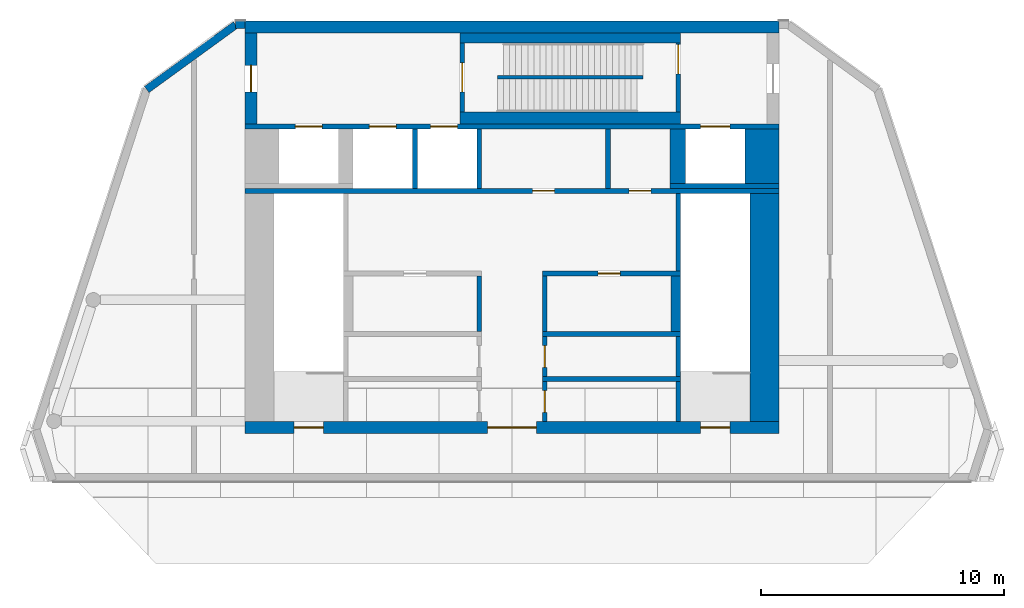
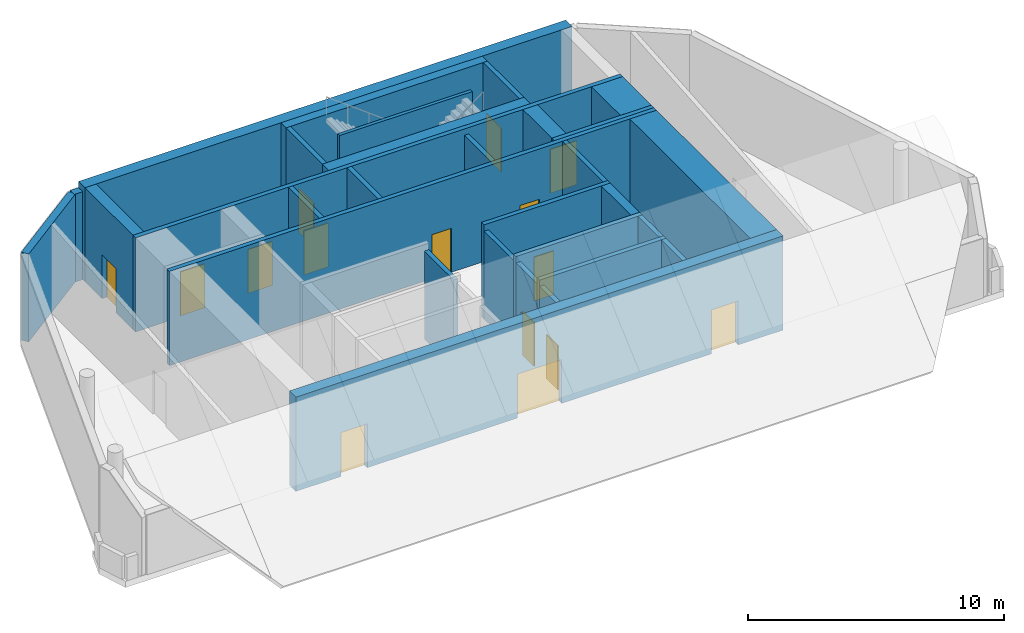
# One storey, part 2 of 5: 30 walls, 15 doors, 15 openings.
"""IFC4 building model written with IfcOpenShell, lengths in metres."""

from ifc_helpers import new_model, si_unit, direction, frame, frame_2d, origin, place, context, subcontext, project, spatial, rectangle, extrude, material, layer, layer_set, type_object, element, fill, save


model = new_model("IFC4")

# Units and contexts
model_context = context("Model", 3, precision=1e-05, world=origin(), true_north=direction((0.0, 1.0)))
body_context = subcontext(model_context, "Body", "Model", "MODEL_VIEW")
ifc_project = project(units=[si_unit("LENGTHUNIT", "METRE"), si_unit("AREAUNIT", "SQUARE_METRE"), si_unit("VOLUMEUNIT", "CUBIC_METRE"), si_unit("PLANEANGLEUNIT", "RADIAN"), si_unit("MASSUNIT", "GRAM", prefix="KILO")], contexts=[model_context])

# Site, building, storey
site_placement = place(None, origin())
site = spatial("IfcSite", under=ifc_project, at=site_placement, CompositionType="ELEMENT")
building_placement = place(site_placement, origin())
building = spatial("IfcBuilding", under=site, at=building_placement, Name="White Candle Pilgrim Tower", CompositionType="ELEMENT")
storey_placement = place(building_placement, frame((0.0, 0.0, 342.199951171875)))
storey = spatial("IfcBuildingStorey", under=building, at=storey_placement, Name="L80", CompositionType="ELEMENT", Elevation=342.199951171875)

# Walls
ifc_material_1 = material(Name="Concrete C40/50", Category="concrete")
ifc_layer_1 = layer(ifc_material_1, 1.39990234375)
ifc_layer_set_1 = layer_set([ifc_layer_1], Name="Core wall 1400 mm Concrete C40/50")
wall_type_1 = type_object("IfcWallType", Name="Core wall 1400 mm Concrete C40/50", PredefinedType="SHEAR", material=ifc_layer_set_1)
wall_1_placement = place(storey_placement, frame((80.300048828125, 81.300048828125, 0.0), z_axis=(0.0, 0.0, 1.0), x_axis=(0.0, 1.0, 0.0)))
element("IfcWall", 1, at=wall_1_placement, inside=storey, type_object=wall_type_1, Name="WL-L80-C33", PredefinedType="SHEAR", context=body_context, shape_type="SweptSolid", body=[
    extrude(rectangle(XDim=2.25, YDim=1.39990234375, at=frame_2d((1.125, 0.0))), origin(), (0.0, 0.0, 1.0), 4.5),
])
ifc_layer_2 = layer(ifc_material_1, 0.199951171875)
ifc_layer_set_2 = layer_set([ifc_layer_2], Name="Core wall 200 mm Concrete C40/50")
wall_type_2 = type_object("IfcWallType", Name="Core wall 200 mm Concrete C40/50", PredefinedType="SHEAR", material=ifc_layer_set_2)
wall_2_placement = place(storey_placement, frame((76.5, 81.199951171875, 0.0), z_axis=(0.0, 0.0, 1.0), x_axis=(1.0, 0.0, 0.0)))
element("IfcWall", 2, at=wall_2_placement, inside=storey, type_object=wall_type_2, Name="WL-L80-C29", PredefinedType="SHEAR", context=body_context, shape_type="SweptSolid", body=[
    extrude(rectangle(XDim=4.5, YDim=0.199951171875, at=frame_2d((2.25, 0.0))), origin(), (0.0, 0.0, 1.0), 4.5),
])

# Wall, openings, doors
wall_3_placement = place(storey_placement, frame((59.0, 83.64990234375, 0.0), z_axis=(0.0, 0.0, 1.0), x_axis=(1.0, 0.0, 0.0)))
wall_3 = element("IfcWall", 3, at=wall_3_placement, inside=storey, type_object=wall_type_2, Name="WL-L80-C34", PredefinedType="SHEAR", context=body_context, shape_type="SweptSolid", body=[
    extrude(rectangle(XDim=22.0, YDim=0.199951171875, at=frame_2d((11.0, 0.0))), origin(), (0.0, 0.0, 1.0), 4.5),
])
opening_1_placement = place(wall_3_placement, frame((5.125, 0.0, 0.0)))
opening_1 = element("IfcOpeningElement", 4, at=opening_1_placement, cuts=wall_3, Name="Opening L80-012", PredefinedType="OPENING", context=body_context, shape_type="SweptSolid", body=[
    extrude(rectangle(XDim=1.10009765625, YDim=2.10009765625, at=frame_2d((0.550048828125, 1.050048828125))), frame((0.0, 0.10986328125, 0.0), z_axis=(0.0, -1.0, 0.0), x_axis=(1.0, 0.0, 0.0)), (0.0, 0.0, 1.0), 0.219970703125),
])
opening_2_placement = place(wall_3_placement, frame((7.64990234375, 0.0, 0.0)))
opening_2 = element("IfcOpeningElement", 5, at=opening_2_placement, cuts=wall_3, Name="Opening L80-013", PredefinedType="OPENING", context=body_context, shape_type="SweptSolid", body=[
    extrude(rectangle(XDim=1.10009765625, YDim=2.10009765625, at=frame_2d((0.550048828125, 1.050048828125))), frame((0.0, 0.10986328125, 0.0), z_axis=(0.0, -1.0, 0.0), x_axis=(1.0, 0.0, 0.0)), (0.0, 0.0, 1.0), 0.219970703125),
])
opening_3_placement = place(wall_3_placement, frame((18.77490234375, 0.0, 0.0)))
opening_3 = element("IfcOpeningElement", 6, at=opening_3_placement, cuts=wall_3, Name="Opening L80-014", PredefinedType="OPENING", context=body_context, shape_type="SweptSolid", body=[
    extrude(rectangle(XDim=1.199951171875, YDim=2.10009765625, at=frame_2d((0.60009765625, 1.050048828125))), frame((0.0, 0.10986328125, 0.0), z_axis=(0.0, -1.0, 0.0), x_axis=(1.0, 0.0, 0.0)), (0.0, 0.0, 1.0), 0.219970703125),
])
opening_4_placement = place(wall_3_placement, frame((2.074951171875, 0.0, 0.0)))
opening_4 = element("IfcOpeningElement", 7, at=opening_4_placement, cuts=wall_3, Name="Opening L80-015", PredefinedType="OPENING", context=body_context, shape_type="SweptSolid", body=[
    extrude(rectangle(XDim=1.10009765625, YDim=2.10009765625, at=frame_2d((0.550048828125, 1.050048828125))), frame((0.0, 0.10986328125, 0.0), z_axis=(0.0, -1.0, 0.0), x_axis=(1.0, 0.0, 0.0)), (0.0, 0.0, 1.0), 0.219970703125),
])
ifc_material_2 = material(Name="Stainless steel", Category="steel")
door_type_1 = type_object("IfcDoorType", Name="Lift landing door 1100 x 2100 EI 60", OperationType="DOUBLE_DOOR_SLIDING", PredefinedType="DOOR", material=ifc_material_2)
door_1_placement = place(opening_1_placement, origin())
door_1 = element("IfcDoor", 8, at=door_1_placement, inside=storey, type_object=door_type_1, Name="Door L80-012", OperationType="DOUBLE_DOOR_SLIDING", OverallHeight=2.10009765625, OverallWidth=1.10009765625, PredefinedType="DOOR", context=body_context, shape_type="SweptSolid", body=[
    extrude(rectangle(XDim=1.10009765625, YDim=2.10009765625, at=frame_2d((0.550048828125, 1.050048828125))), frame((0.0, 0.02490234375, 0.0), z_axis=(0.0, -1.0, 0.0), x_axis=(1.0, 0.0, 0.0)), (0.0, 0.0, 1.0), 0.050048828125),
])
fill(opening_1, door_1)
door_2_placement = place(opening_2_placement, origin())
door_2 = element("IfcDoor", 9, at=door_2_placement, inside=storey, type_object=door_type_1, Name="Door L80-013", OperationType="DOUBLE_DOOR_SLIDING", OverallHeight=2.10009765625, OverallWidth=1.10009765625, PredefinedType="DOOR", context=body_context, shape_type="SweptSolid", body=[
    extrude(rectangle(XDim=1.10009765625, YDim=2.10009765625, at=frame_2d((0.550048828125, 1.050048828125))), frame((0.0, 0.02490234375, 0.0), z_axis=(0.0, -1.0, 0.0), x_axis=(1.0, 0.0, 0.0)), (0.0, 0.0, 1.0), 0.050048828125),
])
fill(opening_2, door_2)
door_3_placement = place(opening_4_placement, origin())
door_3 = element("IfcDoor", 10, at=door_3_placement, inside=storey, type_object=door_type_1, Name="Door L80-015", OperationType="DOUBLE_DOOR_SLIDING", OverallHeight=2.10009765625, OverallWidth=1.10009765625, PredefinedType="DOOR", context=body_context, shape_type="SweptSolid", body=[
    extrude(rectangle(XDim=1.10009765625, YDim=2.10009765625, at=frame_2d((0.550048828125, 1.050048828125))), frame((0.0, 0.02490234375, 0.0), z_axis=(0.0, -1.0, 0.0), x_axis=(1.0, 0.0, 0.0)), (0.0, 0.0, 1.0), 0.050048828125),
])
fill(opening_4, door_3)
door_type_2 = type_object("IfcDoorType", Name="Lift landing door 1200 x 2100 E 60", OperationType="DOUBLE_DOOR_SLIDING", PredefinedType="DOOR", material=ifc_material_2)
door_4_placement = place(opening_3_placement, origin())
door_4 = element("IfcDoor", 11, at=door_4_placement, inside=storey, type_object=door_type_2, Name="Door L80-014", OperationType="DOUBLE_DOOR_SLIDING", OverallHeight=2.10009765625, OverallWidth=1.199951171875, PredefinedType="DOOR", context=body_context, shape_type="SweptSolid", body=[
    extrude(rectangle(XDim=1.199951171875, YDim=2.10009765625, at=frame_2d((0.60009765625, 1.050048828125))), frame((0.0, 0.02490234375, 0.0), z_axis=(0.0, -1.0, 0.0), x_axis=(1.0, 0.0, 0.0)), (0.0, 0.0, 1.0), 0.050048828125),
])
fill(opening_3, door_4)

# Wall, opening, door
ifc_layer_3 = layer(ifc_material_1, 0.5)
ifc_layer_set_3 = layer_set([ifc_layer_3], Name="Core wall 500 mm Concrete C40/50")
wall_type_3 = type_object("IfcWallType", Name="Core wall 500 mm Concrete C40/50", PredefinedType="SHEAR", material=ifc_layer_set_3)
wall_4_placement = place(storey_placement, frame((59.25, 83.75, 0.0), z_axis=(0.0, 0.0, 1.0), x_axis=(0.0, 1.0, 0.0)))
wall_4 = element("IfcWall", 12, at=wall_4_placement, inside=storey, type_object=wall_type_3, Name="WL-L80-C35", PredefinedType="SHEAR", context=body_context, shape_type="SweptSolid", body=[
    extrude(rectangle(XDim=3.75, YDim=0.5, at=frame_2d((1.875, 0.0))), origin(), (0.0, 0.0, 1.0), 4.5),
])
opening_5_placement = place(wall_4_placement, frame((1.324951171875, 0.0, 0.0)))
opening_5 = element("IfcOpeningElement", 13, at=opening_5_placement, cuts=wall_4, Name="Opening L80-010", PredefinedType="OPENING", context=body_context, shape_type="SweptSolid", body=[
    extrude(rectangle(XDim=1.10009765625, YDim=2.10009765625, at=frame_2d((0.550048828125, 1.050048828125))), frame((0.0, 0.260009765625, 0.0), z_axis=(0.0, -1.0, 0.0), x_axis=(1.0, 0.0, 0.0)), (0.0, 0.0, 1.0), 0.52001953125),
])
ifc_material_3 = material(Name="Steel door leaf", Category="steel")
door_type_3 = type_object("IfcDoorType", Name="Fire door 1100 x 2100 EI 60", OperationType="NOTDEFINED", PredefinedType="DOOR", material=ifc_material_3)
door_5_placement = place(opening_5_placement, origin())
door_5 = element("IfcDoor", 14, at=door_5_placement, inside=storey, type_object=door_type_3, Name="Door L80-010", OperationType="SINGLE_SWING_RIGHT", OverallHeight=2.10009765625, OverallWidth=1.10009765625, PredefinedType="DOOR", context=body_context, shape_type="SweptSolid", body=[
    extrude(rectangle(XDim=1.10009765625, YDim=2.10009765625, at=frame_2d((0.550048828125, 1.050048828125))), frame((0.0, 0.02490234375, 0.0), z_axis=(0.0, -1.0, 0.0), x_axis=(1.0, 0.0, 0.0)), (0.0, 0.0, 1.0), 0.050048828125),
])
fill(opening_5, door_5)

# Walls
wall_5_placement = place(storey_placement, frame((59.0, 87.75, 0.0), z_axis=(0.0, 0.0, 1.0), x_axis=(1.0, 0.0, 0.0)))
element("IfcWall", 15, at=wall_5_placement, inside=storey, type_object=wall_type_3, Name="WL-L80-C42", PredefinedType="SHEAR", context=body_context, shape_type="SweptSolid", body=[
    extrude(rectangle(XDim=22.0, YDim=0.5, at=frame_2d((11.0, 0.0))), origin(), (0.0, 0.0, 1.0), 4.5),
])
ifc_material_4 = material(Name="Precast concrete C40/50", Category="concrete")
ifc_layer_4 = layer(ifc_material_4, 0.320068359375)
ifc_layer_set_4 = layer_set([ifc_layer_4], Name="Facade wall EW4 precast concrete C40/50 crown wall with zinc cladding")
wall_type_4 = type_object("IfcWallType", Name="Facade wall EW4 precast concrete C40/50 crown wall with zinc cladding", PredefinedType="SOLIDWALL", material=ifc_layer_set_4)
wall_6_placement = place(storey_placement, frame((59.0, 87.840087890625, 0.0), z_axis=(0.0, 0.0, 1.0), x_axis=(-1.0, 0.0, 0.0)))
element("IfcWall", 16, at=wall_6_placement, inside=storey, type_object=wall_type_4, Name="Crown wall L80 N", PredefinedType="SOLIDWALL", context=body_context, shape_type="SweptSolid", body=[
    extrude(rectangle(XDim=0.385009765625, YDim=0.320068359375, at=frame_2d((0.1923828125, 0.0))), origin(), (0.0, 0.0, 1.0), 4.199951171875),
])
wall_7_placement = place(storey_placement, frame((58.614990234375, 87.840087890625, 0.0), z_axis=(0.0, 0.0, 1.0), x_axis=(-0.809027332235, -0.587771023186, 0.0)))
element("IfcWall", 17, at=wall_7_placement, inside=storey, type_object=wall_type_4, Name="Crown wall L80 NW chamfer", PredefinedType="SOLIDWALL", context=body_context, shape_type="SweptSolid", body=[
    extrude(rectangle(XDim=4.529541015625, YDim=0.320068359375, at=frame_2d((2.2646484375, 0.0))), origin(), (0.0, 0.0, 1.0), 4.199951171875),
])

# Wall, opening, door
ifc_material_5 = material(Name="Gypsum board on steel studs", Category="steel")
ifc_layer_5 = layer(ifc_material_5, 0.199951171875)
ifc_layer_set_5 = layer_set([ifc_layer_5], Name="Lobby wall 200 mm EI 60")
wall_type_5 = type_object("IfcWallType", Name="Lobby wall 200 mm EI 60", PredefinedType="PARTITIONING", material=ifc_layer_set_5)
wall_8_placement = place(storey_placement, frame((71.35009765625, 71.5, 0.0), z_axis=(0.0, 0.0, 1.0), x_axis=(0.0, 1.0, 0.0)))
wall_8 = element("IfcWall", 18, at=wall_8_placement, inside=storey, type_object=wall_type_5, Name="WL-L80-C05", PredefinedType="PARTITIONING", context=body_context, shape_type="SweptSolid", body=[
    extrude(rectangle(XDim=1.64990234375, YDim=0.199951171875, at=frame_2d((0.824951171875, 0.0))), origin(), (0.0, 0.0, 1.0), 4.199951171875),
])
opening_6_placement = place(wall_8_placement, frame((0.375, 0.0, 0.0)))
opening_6 = element("IfcOpeningElement", 19, at=opening_6_placement, cuts=wall_8, Name="Opening L80-008", PredefinedType="OPENING", context=body_context, shape_type="SweptSolid", body=[
    extrude(rectangle(XDim=0.89990234375, YDim=2.10009765625, at=frame_2d((0.449951171875, 1.050048828125))), frame((0.0, 0.10986328125, 0.0), z_axis=(0.0, -1.0, 0.0), x_axis=(1.0, 0.0, 0.0)), (0.0, 0.0, 1.0), 0.219970703125),
])
door_type_4 = type_object("IfcDoorType", Name="Fire door 900 x 2100 EI 30", OperationType="NOTDEFINED", PredefinedType="DOOR", material=ifc_material_3)
door_6_placement = place(opening_6_placement, origin())
door_6 = element("IfcDoor", 20, at=door_6_placement, inside=storey, type_object=door_type_4, Name="Door L80-008", OperationType="SINGLE_SWING_RIGHT", OverallHeight=2.10009765625, OverallWidth=0.89990234375, PredefinedType="DOOR", context=body_context, shape_type="SweptSolid", body=[
    extrude(rectangle(XDim=0.89990234375, YDim=2.10009765625, at=frame_2d((0.449951171875, 1.050048828125))), frame((0.0, 0.02490234375, 0.0), z_axis=(0.0, -1.0, 0.0), x_axis=(1.0, 0.0, 0.0)), (0.0, 0.0, 1.0), 0.050048828125),
])
fill(opening_6, door_6)

wall_9_placement = place(storey_placement, frame((71.35009765625, 73.35009765625, 0.0), z_axis=(0.0, 0.0, 1.0), x_axis=(0.0, 1.0, 0.0)))
wall_9 = element("IfcWall", 21, at=wall_9_placement, inside=storey, type_object=wall_type_5, Name="WL-L80-C12", PredefinedType="PARTITIONING", context=body_context, shape_type="SweptSolid", body=[
    extrude(rectangle(XDim=1.64990234375, YDim=0.199951171875, at=frame_2d((0.824951171875, 0.0))), origin(), (0.0, 0.0, 1.0), 4.199951171875),
])
opening_7_placement = place(wall_9_placement, frame((0.375, 0.0, 0.0)))
opening_7 = element("IfcOpeningElement", 22, at=opening_7_placement, cuts=wall_9, Name="Opening L80-009", PredefinedType="OPENING", context=body_context, shape_type="SweptSolid", body=[
    extrude(rectangle(XDim=0.89990234375, YDim=2.10009765625, at=frame_2d((0.449951171875, 1.050048828125))), frame((0.0, 0.10986328125, 0.0), z_axis=(0.0, -1.0, 0.0), x_axis=(1.0, 0.0, 0.0)), (0.0, 0.0, 1.0), 0.219970703125),
])
door_7_placement = place(opening_7_placement, origin())
door_7 = element("IfcDoor", 23, at=door_7_placement, inside=storey, type_object=door_type_4, Name="Door L80-009", OperationType="SINGLE_SWING_LEFT", OverallHeight=2.10009765625, OverallWidth=0.89990234375, PredefinedType="DOOR", context=body_context, shape_type="SweptSolid", body=[
    extrude(rectangle(XDim=0.89990234375, YDim=2.10009765625, at=frame_2d((0.449951171875, 1.050048828125))), frame((0.0, 0.02490234375, 0.0), z_axis=(0.0, -1.0, 0.0), x_axis=(1.0, 0.0, 0.0)), (0.0, 0.0, 1.0), 0.050048828125),
])
fill(opening_7, door_7)

# Walls
for number, where, z_axis, x_axis, name in (
    (24, (68.64990234375, 75.199951171875, 0.0), (0.0, 0.0, 1.0), (0.0, 1.0, 0.0), "WL-L80-C17"),
    (25, (71.35009765625, 75.199951171875, 0.0), (0.0, 0.0, 1.0), (0.0, 1.0, 0.0), "WL-L80-C18"),
):
    element("IfcWall", number, at=place(storey_placement, frame(where, z_axis=z_axis, x_axis=x_axis)), inside=storey, type_object=wall_type_5, Name=name, PredefinedType="PARTITIONING", context=body_context, shape_type="SweptSolid", body=[
        extrude(rectangle(XDim=2.300048828125, YDim=0.199951171875, at=frame_2d((1.14990234375, 0.0))), origin(), (0.0, 0.0, 1.0), 4.199951171875),
    ])
wall_10_placement = place(storey_placement, frame((73.949951171875, 81.10009765625, 0.0), z_axis=(0.0, 0.0, 1.0), x_axis=(0.0, 1.0, 0.0)))
element("IfcWall", 26, at=wall_10_placement, inside=storey, type_object=wall_type_5, Name="WL-L80-C28", PredefinedType="PARTITIONING", context=body_context, shape_type="SweptSolid", body=[
    extrude(rectangle(XDim=2.449951171875, YDim=0.199951171875, at=frame_2d((1.22509765625, 0.0))), origin(), (0.0, 0.0, 1.0), 4.199951171875),
])
ifc_layer_6 = layer(ifc_material_1, 0.199951171875)
ifc_layer_set_6 = layer_set([ifc_layer_6], Name="Shaft wall 200 mm Concrete C40/50")
wall_type_6 = type_object("IfcWallType", Name="Shaft wall 200 mm Concrete C40/50", PredefinedType="SHEAR", material=ifc_layer_set_6)
for number, where, z_axis, x_axis, name in (
    (27, (66.0, 81.10009765625, 0.0), (0.0, 0.0, 1.0), (0.0, 1.0, 0.0), "WL-L80-C26"),
    (28, (68.64990234375, 81.10009765625, 0.0), (0.0, 0.0, 1.0), (0.0, 1.0, 0.0), "WL-L80-C27"),
):
    element("IfcWall", number, at=place(storey_placement, frame(where, z_axis=z_axis, x_axis=x_axis)), inside=storey, type_object=wall_type_6, Name=name, PredefinedType="SHEAR", context=body_context, shape_type="SweptSolid", body=[
        extrude(rectangle(XDim=2.449951171875, YDim=0.199951171875, at=frame_2d((1.22509765625, 0.0))), origin(), (0.0, 0.0, 1.0), 4.5),
    ])
ifc_layer_7 = layer(ifc_material_1, 0.64990234375)
ifc_layer_set_7 = layer_set([ifc_layer_7], Name="Shaft wall 650 mm Concrete C40/50")
wall_type_7 = type_object("IfcWallType", Name="Shaft wall 650 mm Concrete C40/50", PredefinedType="SHEAR", material=ifc_layer_set_7)
wall_11_placement = place(storey_placement, frame((76.824951171875, 81.300048828125, 0.0), z_axis=(0.0, 0.0, 1.0), x_axis=(0.0, 1.0, 0.0)))
element("IfcWall", 29, at=wall_11_placement, inside=storey, type_object=wall_type_7, Name="WL-L80-C32", PredefinedType="SHEAR", context=body_context, shape_type="SweptSolid", body=[
    extrude(rectangle(XDim=2.25, YDim=0.64990234375, at=frame_2d((1.125, 0.0))), origin(), (0.0, 0.0, 1.0), 4.5),
])
ifc_layer_8 = layer(ifc_material_1, 1.199951171875)
ifc_layer_set_8 = layer_set([ifc_layer_8], Name="Stair shaft wall 1200 mm Concrete C40/50")
wall_type_8 = type_object("IfcWallType", Name="Stair shaft wall 1200 mm Concrete C40/50", PredefinedType="SHEAR", material=ifc_layer_set_8)
wall_12_placement = place(storey_placement, frame((80.39990234375, 71.5, 0.0), z_axis=(0.0, 0.0, 1.0), x_axis=(0.0, 1.0, 0.0)))
element("IfcWall", 30, at=wall_12_placement, inside=storey, type_object=wall_type_8, Name="WL-L80-C07", PredefinedType="SHEAR", context=body_context, shape_type="SweptSolid", body=[
    extrude(rectangle(XDim=9.39990234375, YDim=1.199951171875, at=frame_2d((4.699951171875, 0.0))), origin(), (0.0, 0.0, 1.0), 4.5),
])
ifc_layer_9 = layer(ifc_material_1, 0.14990234375)
ifc_layer_set_9 = layer_set([ifc_layer_9], Name="Stair shaft wall 150 mm Concrete C40/50")
wall_type_9 = type_object("IfcWallType", Name="Stair shaft wall 150 mm Concrete C40/50", PredefinedType="SHEAR", material=ifc_layer_set_9)
wall_13_placement = place(storey_placement, frame((69.39990234375, 85.675048828125, 0.0), z_axis=(0.0, 0.0, 1.0), x_axis=(1.0, 0.0, 0.0)))
element("IfcWall", 31, at=wall_13_placement, inside=storey, type_object=wall_type_9, Name="WL-L80-C40", PredefinedType="SHEAR", context=body_context, shape_type="SweptSolid", body=[
    extrude(rectangle(XDim=6.0, YDim=0.14990234375, at=frame_2d((3.0, 0.0))), origin(), (0.0, 0.0, 1.0), 4.5),
])
ifc_layer_10 = layer(ifc_material_1, 0.199951171875)
ifc_layer_set_10 = layer_set([ifc_layer_10], Name="Stair shaft wall 200 mm Concrete C40/50")
wall_type_10 = type_object("IfcWallType", Name="Stair shaft wall 200 mm Concrete C40/50", PredefinedType="SHEAR", material=ifc_layer_set_10)
wall_14_placement = place(storey_placement, frame((76.85009765625, 71.5, 0.0), z_axis=(0.0, 0.0, 1.0), x_axis=(0.0, 1.0, 0.0)))
element("IfcWall", 32, at=wall_14_placement, inside=storey, type_object=wall_type_10, Name="WL-L80-C06", PredefinedType="SHEAR", context=body_context, shape_type="SweptSolid", body=[
    extrude(rectangle(XDim=1.64990234375, YDim=0.199951171875, at=frame_2d((0.824951171875, 0.0))), origin(), (0.0, 0.0, 1.0), 4.5),
])
wall_15_placement = place(storey_placement, frame((71.25, 73.25, 0.0), z_axis=(0.0, 0.0, 1.0), x_axis=(1.0, 0.0, 0.0)))
element("IfcWall", 33, at=wall_15_placement, inside=storey, type_object=wall_type_10, Name="WL-L80-C09", PredefinedType="SHEAR", context=body_context, shape_type="SweptSolid", body=[
    extrude(rectangle(XDim=5.699951171875, YDim=0.199951171875, at=frame_2d((2.85009765625, 0.0))), origin(), (0.0, 0.0, 1.0), 4.5),
])
wall_16_placement = place(storey_placement, frame((76.85009765625, 73.35009765625, 0.0), z_axis=(0.0, 0.0, 1.0), x_axis=(0.0, 1.0, 0.0)))
element("IfcWall", 34, at=wall_16_placement, inside=storey, type_object=wall_type_10, Name="WL-L80-C13", PredefinedType="SHEAR", context=body_context, shape_type="SweptSolid", body=[
    extrude(rectangle(XDim=1.64990234375, YDim=0.199951171875, at=frame_2d((0.824951171875, 0.0))), origin(), (0.0, 0.0, 1.0), 4.5),
])
wall_17_placement = place(storey_placement, frame((71.25, 75.10009765625, 0.0), z_axis=(0.0, 0.0, 1.0), x_axis=(1.0, 0.0, 0.0)))
element("IfcWall", 35, at=wall_17_placement, inside=storey, type_object=wall_type_10, Name="WL-L80-C15", PredefinedType="SHEAR", context=body_context, shape_type="SweptSolid", body=[
    extrude(rectangle(XDim=5.699951171875, YDim=0.199951171875, at=frame_2d((2.85009765625, 0.0))), origin(), (0.0, 0.0, 1.0), 4.5),
])

# Wall, opening, door
wall_18_placement = place(storey_placement, frame((71.25, 77.60009765625, 0.0), z_axis=(0.0, 0.0, 1.0), x_axis=(1.0, 0.0, 0.0)))
wall_18 = element("IfcWall", 36, at=wall_18_placement, inside=storey, type_object=wall_type_10, Name="WL-L80-C21", PredefinedType="SHEAR", context=body_context, shape_type="SweptSolid", body=[
    extrude(rectangle(XDim=5.699951171875, YDim=0.199951171875, at=frame_2d((2.85009765625, 0.0))), origin(), (0.0, 0.0, 1.0), 4.5),
])
opening_8_placement = place(wall_18_placement, frame((2.300048828125, 0.0, 0.0)))
opening_8 = element("IfcOpeningElement", 37, at=opening_8_placement, cuts=wall_18, Name="Opening L80-017", PredefinedType="OPENING", context=body_context, shape_type="SweptSolid", body=[
    extrude(rectangle(XDim=0.89990234375, YDim=2.10009765625, at=frame_2d((0.449951171875, 1.050048828125))), frame((0.0, 0.10986328125, 0.0), z_axis=(0.0, -1.0, 0.0), x_axis=(1.0, 0.0, 0.0)), (0.0, 0.0, 1.0), 0.219970703125),
])
door_8_placement = place(opening_8_placement, origin())
door_8 = element("IfcDoor", 38, at=door_8_placement, inside=storey, type_object=door_type_4, Name="Door L80-017", OperationType="SINGLE_SWING_LEFT", OverallHeight=2.10009765625, OverallWidth=0.89990234375, PredefinedType="DOOR", context=body_context, shape_type="SweptSolid", body=[
    extrude(rectangle(XDim=0.89990234375, YDim=2.10009765625, at=frame_2d((0.449951171875, 1.050048828125))), frame((0.0, 0.02490234375, 0.0), z_axis=(0.0, -1.0, 0.0), x_axis=(1.0, 0.0, 0.0)), (0.0, 0.0, 1.0), 0.050048828125),
])
fill(opening_8, door_8)

# Wall
wall_19_placement = place(storey_placement, frame((76.85009765625, 77.699951171875, 0.0), z_axis=(0.0, 0.0, 1.0), x_axis=(0.0, 1.0, 0.0)))
element("IfcWall", 39, at=wall_19_placement, inside=storey, type_object=wall_type_10, Name="WL-L80-C23", PredefinedType="SHEAR", context=body_context, shape_type="SweptSolid", body=[
    extrude(rectangle(XDim=3.199951171875, YDim=0.199951171875, at=frame_2d((1.60009765625, 0.0))), origin(), (0.0, 0.0, 1.0), 4.5),
])

# Wall, openings, doors
wall_20_placement = place(storey_placement, frame((59.0, 81.0, 0.0), z_axis=(0.0, 0.0, 1.0), x_axis=(1.0, 0.0, 0.0)))
wall_20 = element("IfcWall", 40, at=wall_20_placement, inside=storey, type_object=wall_type_10, Name="WL-L80-C24", PredefinedType="SHEAR", context=body_context, shape_type="SweptSolid", body=[
    extrude(rectangle(XDim=22.0, YDim=0.199951171875, at=frame_2d((11.0, 0.0))), origin(), (0.0, 0.0, 1.0), 4.5),
])
opening_9_placement = place(wall_20_placement, frame((11.85009765625, 0.0, 0.0)))
opening_9 = element("IfcOpeningElement", 41, at=opening_9_placement, cuts=wall_20, Name="Opening L80-018", PredefinedType="OPENING", context=body_context, shape_type="SweptSolid", body=[
    extrude(rectangle(XDim=0.89990234375, YDim=2.10009765625, at=frame_2d((0.449951171875, 1.050048828125))), frame((0.0, 0.10986328125, 0.0), z_axis=(0.0, -1.0, 0.0), x_axis=(1.0, 0.0, 0.0)), (0.0, 0.0, 1.0), 0.219970703125),
])
opening_10_placement = place(wall_20_placement, frame((15.824951171875, 0.0, 0.0)))
opening_10 = element("IfcOpeningElement", 42, at=opening_10_placement, cuts=wall_20, Name="Opening L80-019", PredefinedType="OPENING", context=body_context, shape_type="SweptSolid", body=[
    extrude(rectangle(XDim=0.89990234375, YDim=2.10009765625, at=frame_2d((0.449951171875, 1.050048828125))), frame((0.0, 0.10986328125, 0.0), z_axis=(0.0, -1.0, 0.0), x_axis=(1.0, 0.0, 0.0)), (0.0, 0.0, 1.0), 0.219970703125),
])
door_9_placement = place(opening_9_placement, origin())
door_9 = element("IfcDoor", 43, at=door_9_placement, inside=storey, type_object=door_type_4, Name="Door L80-018", OperationType="SINGLE_SWING_RIGHT", OverallHeight=2.10009765625, OverallWidth=0.89990234375, PredefinedType="DOOR", context=body_context, shape_type="SweptSolid", body=[
    extrude(rectangle(XDim=0.89990234375, YDim=2.10009765625, at=frame_2d((0.449951171875, 1.050048828125))), frame((0.0, 0.02490234375, 0.0), z_axis=(0.0, -1.0, 0.0), x_axis=(1.0, 0.0, 0.0)), (0.0, 0.0, 1.0), 0.050048828125),
])
fill(opening_9, door_9)
door_10_placement = place(opening_10_placement, origin())
door_10 = element("IfcDoor", 44, at=door_10_placement, inside=storey, type_object=door_type_4, Name="Door L80-019", OperationType="SINGLE_SWING_LEFT", OverallHeight=2.10009765625, OverallWidth=0.89990234375, PredefinedType="DOOR", context=body_context, shape_type="SweptSolid", body=[
    extrude(rectangle(XDim=0.89990234375, YDim=2.10009765625, at=frame_2d((0.449951171875, 1.050048828125))), frame((0.0, 0.02490234375, 0.0), z_axis=(0.0, -1.0, 0.0), x_axis=(1.0, 0.0, 0.0)), (0.0, 0.0, 1.0), 0.050048828125),
])
fill(opening_10, door_10)

# Wall, opening, door
wall_21_placement = place(storey_placement, frame((67.949951171875, 84.25, 0.0), z_axis=(0.0, 0.0, 1.0), x_axis=(0.0, 1.0, 0.0)))
wall_21 = element("IfcWall", 45, at=wall_21_placement, inside=storey, type_object=wall_type_10, Name="WL-L80-C38", PredefinedType="SHEAR", context=body_context, shape_type="SweptSolid", body=[
    extrude(rectangle(XDim=2.85009765625, YDim=0.199951171875, at=frame_2d((1.425048828125, 0.0))), origin(), (0.0, 0.0, 1.0), 4.5),
])
opening_11_placement = place(wall_21_placement, frame((0.824951171875, 0.0, 0.0)))
opening_11 = element("IfcOpeningElement", 46, at=opening_11_placement, cuts=wall_21, Name="Opening L80-003", PredefinedType="OPENING", context=body_context, shape_type="SweptSolid", body=[
    extrude(rectangle(XDim=1.199951171875, YDim=2.10009765625, at=frame_2d((0.60009765625, 1.050048828125))), frame((0.0, 0.10986328125, 0.0), z_axis=(0.0, -1.0, 0.0), x_axis=(1.0, 0.0, 0.0)), (0.0, 0.0, 1.0), 0.219970703125),
])
door_type_5 = type_object("IfcDoorType", Name="Fire door 1200 x 2100 EI 60", OperationType="NOTDEFINED", PredefinedType="DOOR", material=ifc_material_3)
door_11_placement = place(opening_11_placement, frame((1.199951171875, 0.0, 0.0), z_axis=(0.0, 0.0, 1.0), x_axis=(-1.0, 0.0, 0.0)))
door_11 = element("IfcDoor", 47, at=door_11_placement, inside=storey, type_object=door_type_5, Name="Door L80-003", OperationType="SINGLE_SWING_RIGHT", OverallHeight=2.10009765625, OverallWidth=1.199951171875, PredefinedType="DOOR", context=body_context, shape_type="SweptSolid", body=[
    extrude(rectangle(XDim=1.199951171875, YDim=2.10009765625, at=frame_2d((0.60009765625, 1.050048828125))), frame((0.0, 0.02490234375, 0.0), z_axis=(0.0, -1.0, 0.0), x_axis=(1.0, 0.0, 0.0)), (0.0, 0.0, 1.0), 0.050048828125),
])
fill(opening_11, door_11)

wall_22_placement = place(storey_placement, frame((76.85009765625, 84.25, 0.0), z_axis=(0.0, 0.0, 1.0), x_axis=(0.0, 1.0, 0.0)))
wall_22 = element("IfcWall", 48, at=wall_22_placement, inside=storey, type_object=wall_type_10, Name="WL-L80-C39", PredefinedType="SHEAR", context=body_context, shape_type="SweptSolid", body=[
    extrude(rectangle(XDim=2.85009765625, YDim=0.199951171875, at=frame_2d((1.425048828125, 0.0))), origin(), (0.0, 0.0, 1.0), 4.5),
])
opening_12_placement = place(wall_22_placement, frame((1.574951171875, 0.0, 0.0)))
opening_12 = element("IfcOpeningElement", 49, at=opening_12_placement, cuts=wall_22, Name="Opening L80-004", PredefinedType="OPENING", context=body_context, shape_type="SweptSolid", body=[
    extrude(rectangle(XDim=1.199951171875, YDim=2.10009765625, at=frame_2d((0.60009765625, 1.050048828125))), frame((0.0, 0.10986328125, 0.0), z_axis=(0.0, -1.0, 0.0), x_axis=(1.0, 0.0, 0.0)), (0.0, 0.0, 1.0), 0.219970703125),
])
door_12_placement = place(opening_12_placement, origin())
door_12 = element("IfcDoor", 50, at=door_12_placement, inside=storey, type_object=door_type_5, Name="Door L80-004", OperationType="SINGLE_SWING_RIGHT", OverallHeight=2.10009765625, OverallWidth=1.199951171875, PredefinedType="DOOR", context=body_context, shape_type="SweptSolid", body=[
    extrude(rectangle(XDim=1.199951171875, YDim=2.10009765625, at=frame_2d((0.60009765625, 1.050048828125))), frame((0.0, 0.02490234375, 0.0), z_axis=(0.0, -1.0, 0.0), x_axis=(1.0, 0.0, 0.0)), (0.0, 0.0, 1.0), 0.050048828125),
])
fill(opening_12, door_12)

# Walls
ifc_layer_11 = layer(ifc_material_1, 0.39990234375)
ifc_layer_set_11 = layer_set([ifc_layer_11], Name="Stair shaft wall 400 mm Concrete C40/50")
wall_type_11 = type_object("IfcWallType", Name="Stair shaft wall 400 mm Concrete C40/50", PredefinedType="SHEAR", material=ifc_layer_set_11)
wall_23_placement = place(storey_placement, frame((76.75, 75.199951171875, 0.0), z_axis=(0.0, 0.0, 1.0), x_axis=(0.0, 1.0, 0.0)))
element("IfcWall", 51, at=wall_23_placement, inside=storey, type_object=wall_type_11, Name="WL-L80-C19", PredefinedType="SHEAR", context=body_context, shape_type="SweptSolid", body=[
    extrude(rectangle(XDim=2.300048828125, YDim=0.39990234375, at=frame_2d((1.14990234375, 0.0))), origin(), (0.0, 0.0, 1.0), 4.5),
])
wall_24_placement = place(storey_placement, frame((67.85009765625, 87.300048828125, 0.0), z_axis=(0.0, 0.0, 1.0), x_axis=(1.0, 0.0, 0.0)))
element("IfcWall", 52, at=wall_24_placement, inside=storey, type_object=wall_type_11, Name="WL-L80-C41", PredefinedType="SHEAR", context=body_context, shape_type="SweptSolid", body=[
    extrude(rectangle(XDim=9.099853515625, YDim=0.39990234375, at=frame_2d((4.5498046875, 0.0))), origin(), (0.0, 0.0, 1.0), 4.5),
])

# Wall, openings, doors
ifc_layer_12 = layer(ifc_material_1, 0.5)
ifc_layer_set_12 = layer_set([ifc_layer_12], Name="Stair shaft wall 500 mm Concrete C40/50")
wall_type_12 = type_object("IfcWallType", Name="Stair shaft wall 500 mm Concrete C40/50", PredefinedType="SHEAR", material=ifc_layer_set_12)
wall_25_placement = place(storey_placement, frame((59.0, 71.25, 0.0), z_axis=(0.0, 0.0, 1.0), x_axis=(1.0, 0.0, 0.0)))
wall_25 = element("IfcWall", 53, at=wall_25_placement, inside=storey, type_object=wall_type_12, Name="WL-L80-C01", PredefinedType="SHEAR", context=body_context, shape_type="SweptSolid", body=[
    extrude(rectangle(XDim=22.0, YDim=0.5, at=frame_2d((11.0, 0.0))), origin(), (0.0, 0.0, 1.0), 4.5),
])
opening_13_placement = place(wall_25_placement, frame((2.02490234375, 0.0, 0.0)))
opening_13 = element("IfcOpeningElement", 54, at=opening_13_placement, cuts=wall_25, Name="Opening L80-001", PredefinedType="OPENING", context=body_context, shape_type="SweptSolid", body=[
    extrude(rectangle(XDim=1.199951171875, YDim=2.10009765625, at=frame_2d((0.60009765625, 1.050048828125))), frame((0.0, 0.260009765625, 0.0), z_axis=(0.0, -1.0, 0.0), x_axis=(1.0, 0.0, 0.0)), (0.0, 0.0, 1.0), 0.52001953125),
])
opening_14_placement = place(wall_25_placement, frame((18.77490234375, 0.0, 0.0)))
opening_14 = element("IfcOpeningElement", 55, at=opening_14_placement, cuts=wall_25, Name="Opening L80-002", PredefinedType="OPENING", context=body_context, shape_type="SweptSolid", body=[
    extrude(rectangle(XDim=1.199951171875, YDim=2.10009765625, at=frame_2d((0.60009765625, 1.050048828125))), frame((0.0, 0.260009765625, 0.0), z_axis=(0.0, -1.0, 0.0), x_axis=(1.0, 0.0, 0.0)), (0.0, 0.0, 1.0), 0.52001953125),
])
opening_15_placement = place(wall_25_placement, frame((10.0, 0.0, 0.0)))
opening_15 = element("IfcOpeningElement", 56, at=opening_15_placement, cuts=wall_25, Name="Opening L80-005", PredefinedType="OPENING", context=body_context, shape_type="SweptSolid", body=[
    extrude(rectangle(XDim=2.0, YDim=2.10009765625, at=frame_2d((1.0, 1.050048828125))), frame((0.0, 0.260009765625, 0.0), z_axis=(0.0, -1.0, 0.0), x_axis=(1.0, 0.0, 0.0)), (0.0, 0.0, 1.0), 0.52001953125),
])
door_13_placement = place(opening_13_placement, frame((1.199951171875, 0.0, 0.0), z_axis=(0.0, 0.0, 1.0), x_axis=(-1.0, 0.0, 0.0)))
door_13 = element("IfcDoor", 57, at=door_13_placement, inside=storey, type_object=door_type_5, Name="Door L80-001", OperationType="SINGLE_SWING_RIGHT", OverallHeight=2.10009765625, OverallWidth=1.199951171875, PredefinedType="DOOR", context=body_context, shape_type="SweptSolid", body=[
    extrude(rectangle(XDim=1.199951171875, YDim=2.10009765625, at=frame_2d((0.60009765625, 1.050048828125))), frame((0.0, 0.02490234375, 0.0), z_axis=(0.0, -1.0, 0.0), x_axis=(1.0, 0.0, 0.0)), (0.0, 0.0, 1.0), 0.050048828125),
])
fill(opening_13, door_13)
door_14_placement = place(opening_14_placement, frame((1.199951171875, 0.0, 0.0), z_axis=(0.0, 0.0, 1.0), x_axis=(-1.0, 0.0, 0.0)))
door_14 = element("IfcDoor", 58, at=door_14_placement, inside=storey, type_object=door_type_5, Name="Door L80-002", OperationType="SINGLE_SWING_LEFT", OverallHeight=2.10009765625, OverallWidth=1.199951171875, PredefinedType="DOOR", context=body_context, shape_type="SweptSolid", body=[
    extrude(rectangle(XDim=1.199951171875, YDim=2.10009765625, at=frame_2d((0.60009765625, 1.050048828125))), frame((0.0, 0.02490234375, 0.0), z_axis=(0.0, -1.0, 0.0), x_axis=(1.0, 0.0, 0.0)), (0.0, 0.0, 1.0), 0.050048828125),
])
fill(opening_14, door_14)
door_type_6 = type_object("IfcDoorType", Name="Fire door 2000 x 2100 EI 60", OperationType="NOTDEFINED", PredefinedType="DOOR", material=ifc_material_3)
door_15_placement = place(opening_15_placement, frame((2.0, 0.0, 0.0), z_axis=(0.0, 0.0, 1.0), x_axis=(-1.0, 0.0, 0.0)))
door_15 = element("IfcDoor", 59, at=door_15_placement, inside=storey, type_object=door_type_6, Name="Door L80-005", OperationType="DOUBLE_DOOR_SINGLE_SWING", OverallHeight=2.10009765625, OverallWidth=2.0, PredefinedType="DOOR", context=body_context, shape_type="SweptSolid", body=[
    extrude(rectangle(XDim=2.0, YDim=2.10009765625, at=frame_2d((1.0, 1.050048828125))), frame((0.0, 0.02490234375, 0.0), z_axis=(0.0, -1.0, 0.0), x_axis=(1.0, 0.0, 0.0)), (0.0, 0.0, 1.0), 0.050048828125),
])
fill(opening_15, door_15)

# Wall
wall_26_placement = place(storey_placement, frame((67.85009765625, 84.0, 0.0), z_axis=(0.0, 0.0, 1.0), x_axis=(1.0, 0.0, 0.0)))
element("IfcWall", 60, at=wall_26_placement, inside=storey, type_object=wall_type_12, Name="WL-L80-C36", PredefinedType="SHEAR", context=body_context, shape_type="SweptSolid", body=[
    extrude(rectangle(XDim=9.099853515625, YDim=0.5, at=frame_2d((4.5498046875, 0.0))), origin(), (0.0, 0.0, 1.0), 4.5),
])

save(model, "model.ifc")
